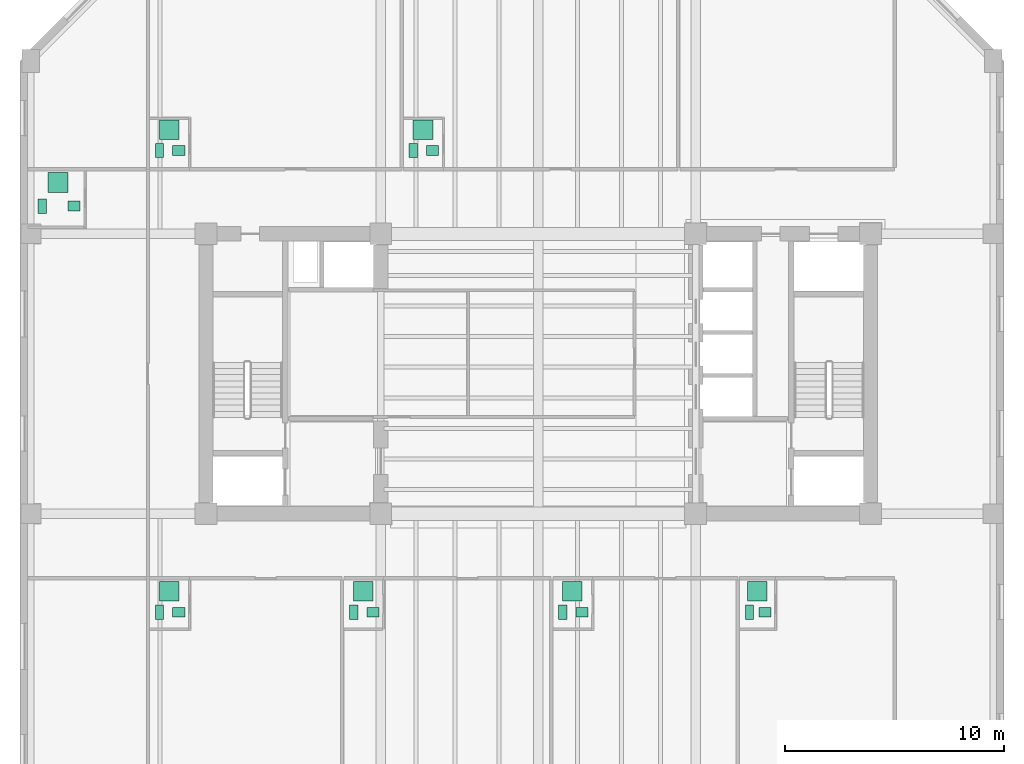
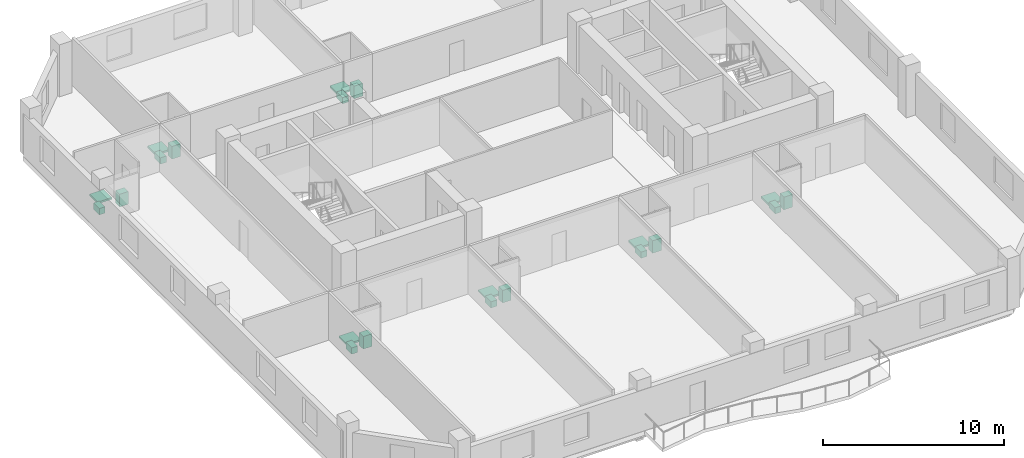
# One storey, part 10 of 10: 21 sanitary terminals.
"""IFC4 building model written with IfcOpenShell, lengths in metres."""

from ifc_helpers import new_model, si_unit, direction, frame, origin, origin_2d, place, context, subcontext, project, spatial, rectangle, extrude, material, type_object, element, save


model = new_model("IFC4")

# Units and contexts
model_context = context("Model", 3, precision=1e-05, world=origin(), true_north=direction((0.0, 1.0)))
body_context = subcontext(model_context, "Body", "Model", "MODEL_VIEW")
ifc_project = project(units=[si_unit("LENGTHUNIT", "METRE"), si_unit("AREAUNIT", "SQUARE_METRE"), si_unit("VOLUMEUNIT", "CUBIC_METRE"), si_unit("PLANEANGLEUNIT", "RADIAN"), si_unit("MASSUNIT", "GRAM", prefix="KILO")], contexts=[model_context])

# Site, building, storey
site_placement = place(None, origin())
site = spatial("IfcSite", under=ifc_project, at=site_placement, CompositionType="ELEMENT")
building_placement = place(site_placement, origin())
building = spatial("IfcBuilding", under=site, at=building_placement, Name="Kranthara Brick Stack", CompositionType="ELEMENT")
storey_placement = place(building_placement, frame((0.0, 0.0, 123.800048828125)))
storey = spatial("IfcBuildingStorey", under=building, at=storey_placement, Name="L30", CompositionType="ELEMENT", Elevation=123.800048828125)

# Sanitary terminals
ifc_material_1 = material(Name="Vitreous china sanitary porcelain", Category="other")
sanitary_terminal_type_1 = type_object("IfcSanitaryTerminalType", Name="SAN-BASIN", PredefinedType="WASHHANDBASIN", material=ifc_material_1)
for number, where, z_axis, x_axis, name in (
    (1, (11.56005859375, 16.294921875, 0.0), (0.0, 0.0, 1.0), (1.0, 0.0, 0.0), "L30 Washbasin 95"),
    (2, (20.43896484375, 16.294921875, 0.0), (0.0, 0.0, 1.0), (1.0, 0.0, 0.0), "L30 Washbasin 96"),
    (3, (30.0009765625, 16.294921875, 0.0), (0.0, 0.0, 1.0), (1.0, 0.0, 0.0), "L30 Washbasin 97"),
    (4, (38.360107421875, 16.294921875, 0.0), (0.0, 0.0, 1.0), (1.0, 0.0, 0.0), "L30 Washbasin 98"),
    (5, (11.56005859375, 37.405029296875, 0.0), (0.0, 0.0, 1.0), (1.0, 0.0, 0.0), "L30 Washbasin 99"),
    (6, (23.1708984375, 37.405029296875, 0.0), (0.0, 0.0, 1.0), (1.0, 0.0, 0.0), "L30 Washbasin 100"),
    (7, (6.760009765625, 34.864990234375, 0.0), (0.0, 0.0, 1.0), (1.0, 0.0, 0.0), "L30 Washbasin 101"),
):
    element("IfcSanitaryTerminal", number, at=place(storey_placement, frame(where, z_axis=z_axis, x_axis=x_axis)), inside=storey, type_object=sanitary_terminal_type_1, Name=name, PredefinedType="WASHHANDBASIN", context=body_context, shape_type="SweptSolid", body=[
        extrude(rectangle(XDim=0.550048828125, YDim=0.449951171875, at=origin_2d()), origin(), (0.0, 0.0, 1.0), 0.85009765625),
    ])
ifc_material_2 = material(Name="Acrylic and porcelain shower tray", Category="other")
sanitary_terminal_type_2 = type_object("IfcSanitaryTerminalType", Name="SAN-SHOWER", PredefinedType="SHOWER", material=ifc_material_2)
for number, where, z_axis, x_axis, name in (
    (8, (11.1201171875, 17.25, 0.0), (0.0, 0.0, 1.0), (1.0, 0.0, 0.0), "L30 Shower Tray 95"),
    (9, (19.9990234375, 17.25, 0.0), (0.0, 0.0, 1.0), (1.0, 0.0, 0.0), "L30 Shower Tray 96"),
    (10, (29.56103515625, 17.25, 0.0), (0.0, 0.0, 1.0), (1.0, 0.0, 0.0), "L30 Shower Tray 97"),
    (11, (38.010009765625, 17.25, 0.0), (0.0, 0.0, 1.0), (1.0, 0.0, 0.0), "L30 Shower Tray 98"),
    (12, (11.1201171875, 38.360107421875, 0.0), (0.0, 0.0, 1.0), (1.0, 0.0, 0.0), "L30 Shower Tray 99"),
    (13, (22.73095703125, 38.360107421875, 0.0), (0.0, 0.0, 1.0), (1.0, 0.0, 0.0), "L30 Shower Tray 100"),
    (14, (6.0400390625, 35.949951171875, 0.0), (0.0, 0.0, 1.0), (1.0, 0.0, 0.0), "L30 Shower Tray 101"),
):
    element("IfcSanitaryTerminal", number, at=place(storey_placement, frame(where, z_axis=z_axis, x_axis=x_axis)), inside=storey, type_object=sanitary_terminal_type_2, Name=name, PredefinedType="SHOWER", context=body_context, shape_type="SweptSolid", body=[
        extrude(rectangle(XDim=0.89990234375, YDim=0.89990234375, at=origin_2d()), origin(), (0.0, 0.0, 1.0), 0.1201171875),
    ])
ifc_material_3 = material(Name="Vitreous china sanitary porcelain", Category="other")
sanitary_terminal_type_3 = type_object("IfcSanitaryTerminalType", Name="SAN-WC-PAN", PredefinedType="TOILETPAN", material=ifc_material_3)
for number, where, z_axis, x_axis, name in (
    (15, (10.679931640625, 16.294921875, 0.0), (0.0, 0.0, 1.0), (1.0, 0.0, 0.0), "L30 WC Pan 95"),
    (16, (19.55908203125, 16.294921875, 0.0), (0.0, 0.0, 1.0), (1.0, 0.0, 0.0), "L30 WC Pan 96"),
    (17, (29.12109375, 16.294921875, 0.0), (0.0, 0.0, 1.0), (1.0, 0.0, 0.0), "L30 WC Pan 97"),
    (18, (37.658935546875, 16.294921875, 0.0), (0.0, 0.0, 1.0), (1.0, 0.0, 0.0), "L30 WC Pan 98"),
    (19, (10.679931640625, 37.405029296875, 0.0), (0.0, 0.0, 1.0), (1.0, 0.0, 0.0), "L30 WC Pan 99"),
    (20, (22.291015625, 37.405029296875, 0.0), (0.0, 0.0, 1.0), (1.0, 0.0, 0.0), "L30 WC Pan 100"),
    (21, (5.320068359375, 34.864990234375, 0.0), (0.0, 0.0, 1.0), (1.0, 0.0, 0.0), "L30 WC Pan 101"),
):
    element("IfcSanitaryTerminal", number, at=place(storey_placement, frame(where, z_axis=z_axis, x_axis=x_axis)), inside=storey, type_object=sanitary_terminal_type_3, Name=name, PredefinedType="TOILETPAN", context=body_context, shape_type="SweptSolid", body=[
        extrude(rectangle(XDim=0.3798828125, YDim=0.64990234375, at=origin_2d()), origin(), (0.0, 0.0, 1.0), 0.419921875),
    ])

save(model, "model.ifc")
